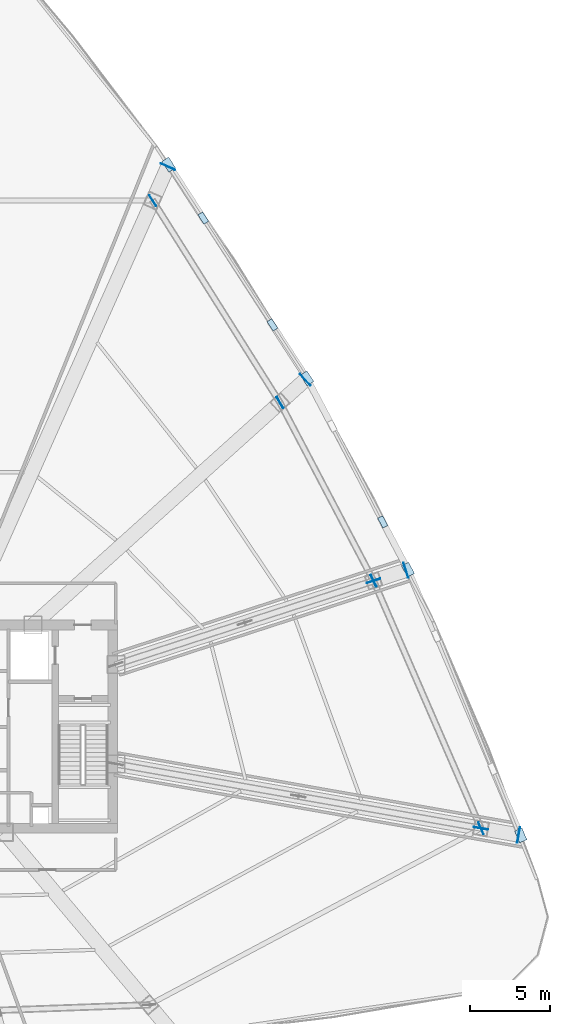
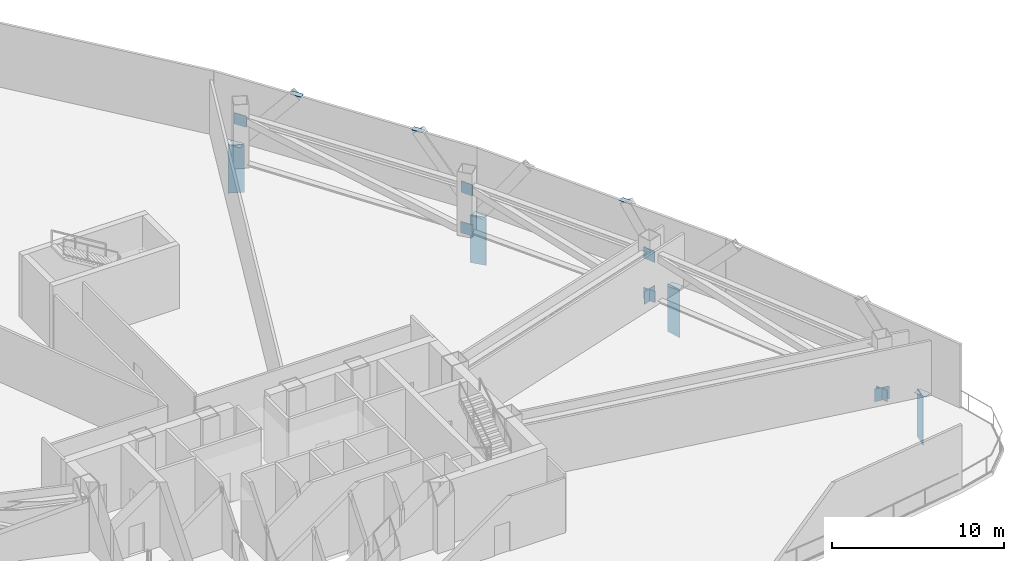
# One storey, part 8 of 17: 19 plates.
"""IFC4 building model written with IfcOpenShell, lengths in metres."""

from ifc_helpers import new_model, si_unit, direction, frame, origin, origin_2d, place, context, subcontext, project, spatial, rectangle, extrude, source, transform, mapped, material, layer, layer_set, type_object, element, save


model = new_model("IFC4")

# Units and contexts
model_context = context("Model", 3, precision=1e-05, world=origin(), true_north=direction((0.0, 1.0)))
body_context = subcontext(model_context, "Body", "Model", "MODEL_VIEW")
ifc_project = project(units=[si_unit("LENGTHUNIT", "METRE"), si_unit("AREAUNIT", "SQUARE_METRE"), si_unit("VOLUMEUNIT", "CUBIC_METRE"), si_unit("PLANEANGLEUNIT", "RADIAN"), si_unit("MASSUNIT", "GRAM", prefix="KILO"), si_unit("THERMODYNAMICTEMPERATUREUNIT", "KELVIN"), si_unit("POWERUNIT", "WATT")], contexts=[model_context])

# Site, building, storey
site_placement = place(None, origin())
site = spatial("IfcSite", under=ifc_project, at=site_placement, CompositionType="ELEMENT")
building_placement = place(site_placement, origin())
building = spatial("IfcBuilding", under=site, at=building_placement, Name="Yunzhuo Pagoda Commons", CompositionType="ELEMENT")
storey_placement = place(building_placement, frame((0.0, 0.0, 176.159912109375)))
storey = spatial("IfcBuildingStorey", under=building, at=storey_placement, Name="L44", CompositionType="ELEMENT", Elevation=176.159912109375)

# Plates
ifc_material_1 = material(Name="Structural steel Q420B", Category="steel")
ifc_layer_1 = layer(ifc_material_1, 0.0400390625)
ifc_layer_set_1 = layer_set([ifc_layer_1], Name="Structural steel Q420B")
plate_type_1 = type_object("IfcPlateType", Name="EP-TR2 Transfer Girder End Cap Plate 980x3540x40", PredefinedType="USERDEFINED", material=ifc_layer_set_1)
shared_shape_1 = source(origin(), body_context, "Body", "SweptSolid", [
    extrude(rectangle(XDim=0.97998046875, YDim=0.0400390625, at=origin_2d()), origin(), (0.0, 0.0, 1.0), 3.389892578125),
])
for number, where, z_axis, x_axis, name in (
    (1, (85.557373046875, 27.07763671875, -3.64990234375), (0.0, 0.0, 1.0), (0.173648177667, 0.984807753012, 0.0), "L44 transfer girder end cap plate F2C1"),
    (2, (78.514892578125, 43.614990234375, -3.64990234375), (0.0, 0.0, 1.0), (-0.309016994375, 0.951056516295, 0.0), "L44 transfer girder end cap plate F2C2"),
    (3, (72.233642578125, 55.52001953125, -3.64990234375), (0.0, 0.0, 1.0), (-0.669130606359, 0.743144825477, 0.0), "L44 transfer girder end cap plate F2C3"),
    (4, (63.6435546875, 68.836181640625, -3.64990234375), (0.0, 0.0, 1.0), (-0.913545457643, 0.406736643076, 0.0), "L44 transfer girder end cap plate F2C4"),
):
    element("IfcPlate", number, at=place(storey_placement, frame(where, z_axis=z_axis, x_axis=x_axis)), inside=storey, type_object=plate_type_1, Name=name, ObjectType="END_PLATE", PredefinedType="USERDEFINED", context=body_context, shape_type="MappedRepresentation", body=[
        mapped(shared_shape_1, transform((0.0, 0.0, 0.0), scale=1.0)),
    ])
ifc_layer_2 = layer(ifc_material_1, 0.0400390625)
ifc_layer_set_2 = layer_set([ifc_layer_2], Name="Structural steel Q420B")
plate_type_2 = type_object("IfcPlateType", Name="GP-OT1 Outrigger Gusset Plate 900x500x900", PredefinedType="USERDEFINED", material=ifc_layer_set_2)
shared_shape_2 = source(origin(), body_context, "Body", "SweptSolid", [
    extrude(rectangle(XDim=0.89990234375, YDim=0.0400390625, at=origin_2d()), origin(), (0.0, 0.0, 1.0), 0.89990234375),
])
for number, where, z_axis, x_axis, name in (
    (5, (83.20654296875, 27.4921875, -0.179931640625), (0.0, 0.0, 1.0), (0.984807753012, -0.173648177667, 0.0), "L44 outrigger column gusset plate F2C1"),
    (6, (76.49462890625, 42.95849609375, -0.179931640625), (0.0, 0.0, 1.0), (0.951056516295, 0.309016994375, 0.0), "L44 outrigger column gusset plate F2C2"),
):
    element("IfcPlate", number, at=place(storey_placement, frame(where, z_axis=z_axis, x_axis=x_axis)), inside=storey, type_object=plate_type_2, Name=name, ObjectType="GUSSET_PLATE", PredefinedType="USERDEFINED", context=body_context, shape_type="MappedRepresentation", body=[
        mapped(shared_shape_2, transform((0.0, 0.0, 0.0), scale=1.0)),
    ])
ifc_material_2 = material(Name="Structural steel Q355B", Category="steel")
ifc_layer_3 = layer(ifc_material_2, 0.028076171875)
ifc_layer_set_3 = layer_set([ifc_layer_3], Name="Structural steel Q355B")
plate_type_3 = type_object("IfcPlateType", Name="SP-ND1 Lattice Node Cap Plate 800x500x28", PredefinedType="USERDEFINED", material=ifc_layer_set_3)
shared_shape_3 = source(origin(), body_context, "Body", "SweptSolid", [
    extrude(rectangle(XDim=0.800048828125, YDim=0.0400390625, at=origin_2d()), origin(), (0.0, 0.0, 1.0), 0.800048828125),
])
for number, where, z_axis, x_axis, name in (
    (7, (83.20654296875, 27.4921875, -0.1298828125), (0.0, 0.0, 1.0), (-0.398092732462, 0.917345178415, 0.0), "L44 belt truss lower gusset plate 5"),
    (8, (76.49462890625, 42.95849609375, 2.740234375), (0.0, 0.0, 1.0), (-0.398092732462, 0.917345178415, 0.0), "L44 belt truss upper gusset plate 5"),
    (9, (76.49462890625, 42.95849609375, -0.1298828125), (0.0, 0.0, 1.0), (-0.464672053786, 0.885482852703, 0.0), "L44 belt truss lower gusset plate 6"),
    (10, (70.650634765625, 54.0947265625, 2.740234375), (0.0, 0.0, 1.0), (-0.464672053786, 0.885482852703, 0.0), "L44 belt truss upper gusset plate 6"),
    (11, (70.650634765625, 54.0947265625, -0.1298828125), (0.0, 0.0, 1.0), (-0.53309779066, 0.846053630448, 0.0), "L44 belt truss lower gusset plate 7"),
    (12, (62.698974609375, 66.71435546875, 2.740234375), (0.0, 0.0, 1.0), (-0.53309779066, 0.846053630448, 0.0), "L44 belt truss upper gusset plate 7"),
):
    element("IfcPlate", number, at=place(storey_placement, frame(where, z_axis=z_axis, x_axis=x_axis)), inside=storey, type_object=plate_type_3, Name=name, ObjectType="STIFFENER_PLATE", PredefinedType="USERDEFINED", context=body_context, shape_type="MappedRepresentation", body=[
        mapped(shared_shape_3, transform((0.0, 0.0, 0.0), scale=1.0)),
    ])
shared_shape_4 = source(origin(), body_context, "Body", "SweptSolid", [
    extrude(rectangle(XDim=0.800048828125, YDim=0.5, at=origin_2d()), origin(), (0.0, 0.0, 1.0), 0.028076171875),
])
for number, where, z_axis, x_axis, name in (
    (13, (85.6923828125, 27.0537109375, -0.2939453125), (0.0, 0.0, 1.0), (-0.39069899657, 0.920518491981, 0.0), "L44 diamond node plate F2.1A"),
    (14, (78.64501953125, 43.6572265625, -0.2939453125), (0.0, 0.0, 1.0), (-0.46678800242, 0.884369244601, 0.0), "L44 diamond node plate F2.2A"),
    (15, (72.33544921875, 55.61181640625, -0.2939453125), (0.0, 0.0, 1.0), (-0.543159795737, 0.839629344589, 0.0), "L44 diamond node plate F2.3A"),
    (16, (63.699462890625, 68.961181640625, -0.2939453125), (0.0, 0.0, 1.0), (-0.543159795737, 0.839629344589, 0.0), "L44 diamond node plate F2.3B"),
):
    element("IfcPlate", number, at=place(storey_placement, frame(where, z_axis=z_axis, x_axis=x_axis)), inside=storey, type_object=plate_type_3, Name=name, ObjectType="STIFFENER_PLATE", PredefinedType="USERDEFINED", context=body_context, shape_type="MappedRepresentation", body=[
        mapped(shared_shape_4, transform((0.0, 0.0, 0.0), scale=1.0)),
    ])
shared_shape_5 = source(origin(), body_context, "Body", "SweptSolid", [
    extrude(rectangle(XDim=0.699951171875, YDim=0.35009765625, at=origin_2d()), origin(), (0.0, 0.0, 1.0), 0.035888671875),
])
for number, where, z_axis, x_axis, name in (
    (17, (77.067626953125, 46.645751953125, 4.501953125), (0.0, 0.0, 1.0), (-0.46678800242, 0.884369244601, 0.0), "L44 setback lattice tie plate F2.2L"),
    (18, (70.176513671875, 58.94921875, 4.501953125), (0.0, 0.0, 1.0), (-0.543159795737, 0.839629344589, 0.0), "L44 setback lattice tie plate F2.3L"),
    (19, (65.8583984375, 65.623779296875, 4.501953125), (0.0, 0.0, 1.0), (-0.543159795737, 0.839629344589, 0.0), "L44 setback lattice tie plate F2.3R"),
):
    element("IfcPlate", number, at=place(storey_placement, frame(where, z_axis=z_axis, x_axis=x_axis)), inside=storey, type_object=plate_type_3, Name=name, ObjectType="STIFFENER_PLATE", PredefinedType="USERDEFINED", context=body_context, shape_type="MappedRepresentation", body=[
        mapped(shared_shape_5, transform((0.0, 0.0, 0.0), scale=1.0)),
    ])

save(model, "model.ifc")
